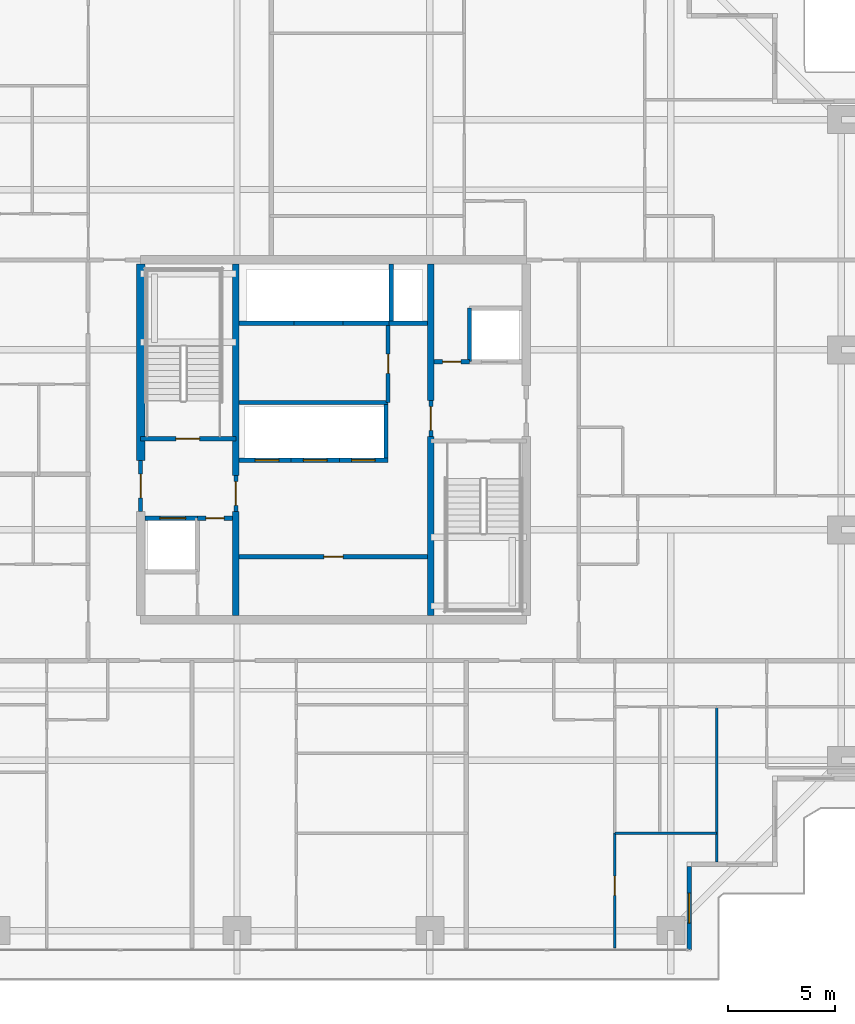
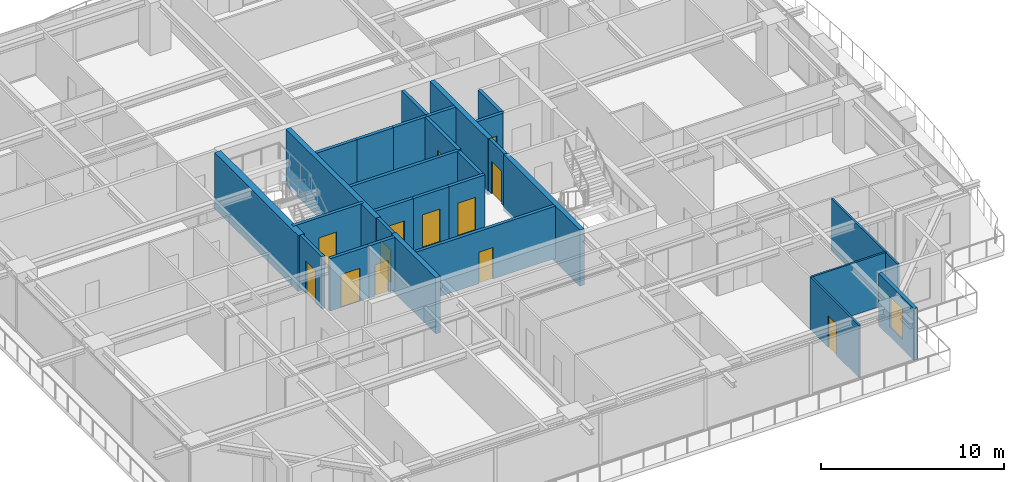
# One storey, part 24 of 33: 29 walls, 13 doors, 1 window, 14 openings.
"""IFC4 building model written with IfcOpenShell, lengths in metres."""

from ifc_helpers import new_model, si_unit, direction, frame, frame_2d, origin, place, context, subcontext, project, spatial, rectangle, extrude, source, transform, mapped, material, layer, layer_set, type_object, element, fill, save


model = new_model("IFC4")

# Units and contexts
model_context = context("Model", 3, precision=1e-05, world=origin(), true_north=direction((0.0, 1.0)))
body_context = subcontext(model_context, "Body", "Model", "MODEL_VIEW")
ifc_project = project(units=[si_unit("LENGTHUNIT", "METRE"), si_unit("AREAUNIT", "SQUARE_METRE"), si_unit("VOLUMEUNIT", "CUBIC_METRE"), si_unit("PLANEANGLEUNIT", "RADIAN"), si_unit("MASSUNIT", "GRAM", prefix="KILO")], contexts=[model_context])

# Site, building, storey
site_placement = place(None, origin())
site = spatial("IfcSite", under=ifc_project, at=site_placement, CompositionType="ELEMENT")
building_placement = place(site_placement, origin())
building = spatial("IfcBuilding", under=site, at=building_placement, Name="Serunith Strait Residences", CompositionType="ELEMENT")
storey_placement = place(building_placement, frame((0.0, 0.0, 165.14990234375)))
storey = spatial("IfcBuildingStorey", under=building, at=storey_placement, Name="L41", CompositionType="ELEMENT", Elevation=165.14990234375)

# Wall, opening, window
ifc_material_1 = material(Name="Pale-Champagne Aluminium Insulated Panel", Category="aluminium")
ifc_layer_1 = layer(ifc_material_1, 0.219970703125, Name="Pale-Champagne Aluminium Insulated Panel")
ifc_layer_set_1 = layer_set([ifc_layer_1], Name="Pale-Champagne Aluminium Insulated Panel")
wall_type_1 = type_object("IfcWallType", Name="EW-ALUM-220", PredefinedType="ELEMENTEDWALL", material=ifc_layer_set_1)
wall_1_placement = place(storey_placement, frame((49.0, 1.39990234375, 0.0), z_axis=(0.0, 0.0, 1.0), x_axis=(0.0, 1.0, 0.0)))
wall_1 = element("IfcWall", 1, at=wall_1_placement, inside=storey, type_object=wall_type_1, Name="L41 Girih Serrated Corner Wall 02", PredefinedType="ELEMENTEDWALL", context=body_context, shape_type="SweptSolid", body=[
    extrude(rectangle(XDim=3.89013671875, YDim=0.219970703125, at=frame_2d((1.945068359375, 0.0))), origin(), (0.0, 0.0, 1.0), 3.47509765625),
])
opening_1_placement = place(wall_1_placement, frame((1.2451171875, 0.0, 0.64990234375)))
opening_1 = element("IfcOpeningElement", 2, at=opening_1_placement, cuts=wall_1, Name="Opening W-03", PredefinedType="OPENING", context=body_context, shape_type="SweptSolid", body=[
    extrude(rectangle(XDim=1.39990234375, YDim=2.050048828125, at=frame_2d((0.699951171875, 1.02490234375))), frame((0.0, 0.1201171875, 0.0), z_axis=(0.0, -1.0, 0.0), x_axis=(1.0, 0.0, 0.0)), (0.0, 0.0, 1.0), 0.239990234375),
])
ifc_material_2 = material(Name="Ceramic-Fritted Operable Aluminium Window Glass", Category="aluminium")
window_type = type_object("IfcWindowType", Name="WIN-C3", PartitioningType="SINGLE_PANEL", PredefinedType="WINDOW", material=ifc_material_2)
shared_shape_1 = source(origin(), body_context, "Body", "SweptSolid", [
    extrude(rectangle(XDim=1.39990234375, YDim=2.050048828125, at=frame_2d((0.699951171875, 1.02490234375))), frame((0.0, 0.030029296875, 0.0), z_axis=(0.0, -1.0, 0.0), x_axis=(1.0, 0.0, 0.0)), (0.0, 0.0, 1.0), 0.06005859375),
])
window_placement = place(opening_1_placement, origin())
window = element("IfcWindow", 3, at=window_placement, inside=storey, type_object=window_type, Name="L41 Corner Operable Fritted Window 02", OverallHeight=2.050048828125, OverallWidth=1.39990234375, PartitioningType="SINGLE_PANEL", PredefinedType="WINDOW", context=body_context, shape_type="MappedRepresentation", body=[
    mapped(shared_shape_1, transform((0.0, 0.0, 0.0), scale=1.0)),
])
fill(opening_1, window)

# Wall, opening, door
ifc_material_3 = material(Name="Lightweight steel-stud gypsum partition", Category="steel")
ifc_layer_2 = layer(ifc_material_3, 0.1201171875, Name="Lightweight steel-stud gypsum partition")
ifc_layer_set_2 = layer_set([ifc_layer_2], Name="Lightweight steel-stud gypsum partition")
wall_type_2 = type_object("IfcWallType", Name="IW-PART-120", PredefinedType="PARTITIONING", material=ifc_layer_set_2)
wall_2_placement = place(storey_placement, frame((45.530029296875, 1.4951171875, 0.0), z_axis=(0.0, 0.0, 1.0), x_axis=(0.0, 1.0, 0.0)))
wall_2 = element("IfcWall", 4, at=wall_2_placement, inside=storey, type_object=wall_type_2, Name="L41 Partition Wall 046", PredefinedType="PARTITIONING", context=body_context, shape_type="SweptSolid", body=[
    extrude(rectangle(XDim=5.351806640625, YDim=0.1201171875, at=frame_2d((2.67578125, 0.0))), origin(), (0.0, 0.0, 1.0), 3.489990234375),
])
opening_2_placement = place(wall_2_placement, frame((2.448974609375, 0.0, 0.0)))
opening_2 = element("IfcOpeningElement", 5, at=opening_2_placement, cuts=wall_2, Name="Opening D-RM900", PredefinedType="OPENING", context=body_context, shape_type="SweptSolid", body=[
    extrude(rectangle(XDim=0.89990234375, YDim=2.10009765625, at=frame_2d((0.449951171875, 1.050048828125))), frame((0.0, 0.070068359375, 0.0), z_axis=(0.0, -1.0, 0.0), x_axis=(1.0, 0.0, 0.0)), (0.0, 0.0, 1.0), 0.14013671875),
])
ifc_material_4 = material(Name="Engineered timber flush bedroom door", Category="wood")
door_type_1 = type_object("IfcDoorType", Name="ID-ROOM-900", OperationType="NOTDEFINED", PredefinedType="DOOR", material=ifc_material_4)
shared_shape_2 = source(origin(), body_context, "Body", "SweptSolid", [
    extrude(rectangle(XDim=0.89990234375, YDim=2.10009765625, at=frame_2d((0.449951171875, 1.050048828125))), frame((0.0, 0.02490234375, 0.0), z_axis=(0.0, -1.0, 0.0), x_axis=(1.0, 0.0, 0.0)), (0.0, 0.0, 1.0), 0.050048828125),
])
door_1_placement = place(opening_2_placement, origin())
door_1 = element("IfcDoor", 6, at=door_1_placement, inside=storey, type_object=door_type_1, Name="L41 Study 1 4103 Door", OperationType="SINGLE_SWING_RIGHT", OverallHeight=2.10009765625, OverallWidth=0.89990234375, PredefinedType="DOOR", context=body_context, shape_type="MappedRepresentation", body=[
    mapped(shared_shape_2, transform((0.0, 0.0, 0.0), scale=1.0)),
])
fill(opening_2, door_1)

# Walls
wall_3_placement = place(storey_placement, frame((45.530029296875, 6.846923828125, 0.0), z_axis=(0.0, 0.0, 1.0), x_axis=(1.0, 0.0, 0.0)))
element("IfcWall", 7, at=wall_3_placement, inside=storey, type_object=wall_type_2, Name="L41 Partition Wall 048", PredefinedType="PARTITIONING", context=body_context, shape_type="SweptSolid", body=[
    extrude(rectangle(XDim=4.75, YDim=0.1201171875, at=frame_2d((2.375, 0.0))), origin(), (0.0, 0.0, 1.0), 3.489990234375),
])
wall_4_placement = place(storey_placement, frame((50.280029296875, 5.4951171875, 0.0), z_axis=(0.0, 0.0, 1.0), x_axis=(0.0, 1.0, 0.0)))
element("IfcWall", 8, at=wall_4_placement, inside=storey, type_object=wall_type_2, Name="L41 Partition Wall 049", PredefinedType="PARTITIONING", context=body_context, shape_type="SweptSolid", body=[
    extrude(rectangle(XDim=7.2548828125, YDim=0.1201171875, at=frame_2d((3.62744140625, 0.0))), origin(), (0.0, 0.0, 1.0), 3.489990234375),
])

# Wall, opening, door
ifc_material_5 = material(Name="Autoclaved aerated concrete blockwork", Category="masonry")
ifc_layer_3 = layer(ifc_material_5, 0.199951171875, Name="Autoclaved aerated concrete blockwork")
ifc_layer_set_3 = layer_set([ifc_layer_3], Name="Autoclaved aerated concrete blockwork")
wall_type_3 = type_object("IfcWallType", Name="IW-SHAFT-200", PredefinedType="STANDARD", material=ifc_layer_set_3)
wall_5_placement = place(storey_placement, frame((23.39990234375, 25.25, 0.0), z_axis=(0.0, 0.0, 1.0), x_axis=(1.0, 0.0, 0.0)))
wall_5 = element("IfcWall", 9, at=wall_5_placement, inside=storey, type_object=wall_type_3, Name="L41 ST-1 South Shaft Wall", PredefinedType="STANDARD", context=body_context, shape_type="SweptSolid", body=[
    extrude(rectangle(XDim=4.4501953125, YDim=0.199951171875, at=frame_2d((2.22509765625, 0.0))), origin(), (0.0, 0.0, 1.0), 3.489990234375),
])
opening_3_placement = place(wall_5_placement, frame((1.64990234375, 0.0, 0.0)))
opening_3 = element("IfcOpeningElement", 10, at=opening_3_placement, cuts=wall_5, Name="Opening FD-1100", PredefinedType="OPENING", context=body_context, shape_type="SweptSolid", body=[
    extrude(rectangle(XDim=1.10009765625, YDim=2.14990234375, at=frame_2d((0.550048828125, 1.074951171875))), frame((0.0, 0.10986328125, 0.0), z_axis=(0.0, -1.0, 0.0), x_axis=(1.0, 0.0, 0.0)), (0.0, 0.0, 1.0), 0.219970703125),
])
ifc_material_6 = material(Name="Galvanised steel fire door leaf", Category="steel")
door_type_2 = type_object("IfcDoorType", Name="FD-STAIR-1100", OperationType="NOTDEFINED", PredefinedType="DOOR", material=ifc_material_6)
shared_shape_3 = source(origin(), body_context, "Body", "SweptSolid", [
    extrude(rectangle(XDim=1.10009765625, YDim=2.14990234375, at=frame_2d((0.550048828125, 1.074951171875))), frame((0.0, 0.02490234375, 0.0), z_axis=(0.0, -1.0, 0.0), x_axis=(1.0, 0.0, 0.0)), (0.0, 0.0, 1.0), 0.050048828125),
])
door_2_placement = place(opening_3_placement, origin())
door_2 = element("IfcDoor", 11, at=door_2_placement, inside=storey, type_object=door_type_2, Name="L41 ST-1 Escape Stair Door", OperationType="SINGLE_SWING_LEFT", OverallHeight=2.14990234375, OverallWidth=1.10009765625, PredefinedType="DOOR", context=body_context, shape_type="MappedRepresentation", body=[
    mapped(shared_shape_3, transform((0.0, 0.0, 0.0), scale=1.0)),
])
fill(opening_3, door_2)

wall_6_placement = place(storey_placement, frame((23.60009765625, 21.550048828125, 0.0), z_axis=(0.0, 0.0, 1.0), x_axis=(1.0, 0.0, 0.0)))
wall_6 = element("IfcWall", 12, at=wall_6_placement, inside=storey, type_object=wall_type_3, Name="L41 FL-1 North Shaft Wall", PredefinedType="STANDARD", context=body_context, shape_type="SweptSolid", body=[
    extrude(rectangle(XDim=2.449951171875, YDim=0.199951171875, at=frame_2d((1.22509765625, 0.0))), origin(), (0.0, 0.0, 1.0), 3.489990234375),
])
opening_4_placement = place(wall_6_placement, frame((0.699951171875, 0.0, 0.0)))
opening_4 = element("IfcOpeningElement", 13, at=opening_4_placement, cuts=wall_6, Name="Opening LD-FF1200", PredefinedType="OPENING", context=body_context, shape_type="SweptSolid", body=[
    extrude(rectangle(XDim=1.199951171875, YDim=2.199951171875, at=frame_2d((0.60009765625, 1.10009765625))), frame((0.0, 0.10986328125, 0.0), z_axis=(0.0, -1.0, 0.0), x_axis=(1.0, 0.0, 0.0)), (0.0, 0.0, 1.0), 0.219970703125),
])
ifc_material_7 = material(Name="Brushed stainless steel landing door", Category="steel")
door_type_3 = type_object("IfcDoorType", Name="LD-FF-1200", OperationType="DOUBLE_DOOR_SLIDING", PredefinedType="DOOR", material=ifc_material_7)
shared_shape_4 = source(origin(), body_context, "Body", "SweptSolid", [
    extrude(rectangle(XDim=1.199951171875, YDim=2.199951171875, at=frame_2d((0.60009765625, 1.10009765625))), frame((0.0, 0.02490234375, 0.0), z_axis=(0.0, -1.0, 0.0), x_axis=(1.0, 0.0, 0.0)), (0.0, 0.0, 1.0), 0.050048828125),
])
door_3_placement = place(opening_4_placement, origin())
door_3 = element("IfcDoor", 14, at=door_3_placement, inside=storey, type_object=door_type_3, Name="L41 FL-1 Landing Door", OperationType="DOUBLE_DOOR_SLIDING", OverallHeight=2.199951171875, OverallWidth=1.199951171875, PredefinedType="DOOR", context=body_context, shape_type="MappedRepresentation", body=[
    mapped(shared_shape_4, transform((0.0, 0.0, 0.0), scale=1.0)),
])
fill(opening_4, door_3)

wall_7_placement = place(storey_placement, frame((28.0, 24.25, 0.0), z_axis=(0.0, 0.0, 1.0), x_axis=(1.0, 0.0, 0.0)))
wall_7 = element("IfcWall", 15, at=wall_7_placement, inside=storey, type_object=wall_type_3, Name="L41 PL-4 South Shaft Wall", PredefinedType="STANDARD", context=body_context, shape_type="SweptSolid", body=[
    extrude(rectangle(XDim=2.425048828125, YDim=0.199951171875, at=frame_2d((1.21240234375, 0.0))), origin(), (0.0, 0.0, 1.0), 3.489990234375),
])
opening_5_placement = place(wall_7_placement, frame((0.75, 0.0, 0.0)))
opening_5 = element("IfcOpeningElement", 16, at=opening_5_placement, cuts=wall_7, Name="Opening LD-1100", PredefinedType="OPENING", context=body_context, shape_type="SweptSolid", body=[
    extrude(rectangle(XDim=1.10009765625, YDim=2.199951171875, at=frame_2d((0.550048828125, 1.10009765625))), frame((0.0, 0.10986328125, 0.0), z_axis=(0.0, -1.0, 0.0), x_axis=(1.0, 0.0, 0.0)), (0.0, 0.0, 1.0), 0.219970703125),
])
ifc_material_8 = material(Name="Pale-champagne stainless landing door")
door_type_4 = type_object("IfcDoorType", Name="LD-LIFT-1100", OperationType="DOUBLE_DOOR_SLIDING", PredefinedType="DOOR", material=ifc_material_8)
shared_shape_5 = source(origin(), body_context, "Body", "SweptSolid", [
    extrude(rectangle(XDim=1.10009765625, YDim=2.199951171875, at=frame_2d((0.550048828125, 1.10009765625))), frame((0.0, 0.02490234375, 0.0), z_axis=(0.0, -1.0, 0.0), x_axis=(1.0, 0.0, 0.0)), (0.0, 0.0, 1.0), 0.050048828125),
])
door_4_placement = place(opening_5_placement, origin())
door_4 = element("IfcDoor", 17, at=door_4_placement, inside=storey, type_object=door_type_4, Name="L41 PL-4 Landing Door", OperationType="DOUBLE_DOOR_SLIDING", OverallHeight=2.199951171875, OverallWidth=1.10009765625, PredefinedType="DOOR", context=body_context, shape_type="MappedRepresentation", body=[
    mapped(shared_shape_5, transform((0.0, 0.0, 0.0), scale=1.0)),
])
fill(opening_5, door_4)

wall_8_placement = place(storey_placement, frame((30.425048828125, 24.25, 0.0), z_axis=(0.0, 0.0, 1.0), x_axis=(1.0, 0.0, 0.0)))
wall_8 = element("IfcWall", 18, at=wall_8_placement, inside=storey, type_object=wall_type_3, Name="L41 PL-5 South Shaft Wall", PredefinedType="STANDARD", context=body_context, shape_type="SweptSolid", body=[
    extrude(rectangle(XDim=2.25, YDim=0.199951171875, at=frame_2d((1.125, 0.0))), origin(), (0.0, 0.0, 1.0), 3.489990234375),
])
opening_6_placement = place(wall_8_placement, frame((0.574951171875, 0.0, 0.0)))
opening_6 = element("IfcOpeningElement", 19, at=opening_6_placement, cuts=wall_8, Name="Opening LD-1100", PredefinedType="OPENING", context=body_context, shape_type="SweptSolid", body=[
    extrude(rectangle(XDim=1.10009765625, YDim=2.199951171875, at=frame_2d((0.550048828125, 1.10009765625))), frame((0.0, 0.10986328125, 0.0), z_axis=(0.0, -1.0, 0.0), x_axis=(1.0, 0.0, 0.0)), (0.0, 0.0, 1.0), 0.219970703125),
])
door_5_placement = place(opening_6_placement, origin())
door_5 = element("IfcDoor", 20, at=door_5_placement, inside=storey, type_object=door_type_4, Name="L41 PL-5 Landing Door", OperationType="DOUBLE_DOOR_SLIDING", OverallHeight=2.199951171875, OverallWidth=1.10009765625, PredefinedType="DOOR", context=body_context, shape_type="MappedRepresentation", body=[
    mapped(shared_shape_5, transform((0.0, 0.0, 0.0), scale=1.0)),
])
fill(opening_6, door_5)

wall_9_placement = place(storey_placement, frame((32.675048828125, 24.25, 0.0), z_axis=(0.0, 0.0, 1.0), x_axis=(1.0, 0.0, 0.0)))
wall_9 = element("IfcWall", 21, at=wall_9_placement, inside=storey, type_object=wall_type_3, Name="L41 PL-6 South Shaft Wall", PredefinedType="STANDARD", context=body_context, shape_type="SweptSolid", body=[
    extrude(rectangle(XDim=2.27490234375, YDim=0.199951171875, at=frame_2d((1.137451171875, 0.0))), origin(), (0.0, 0.0, 1.0), 3.489990234375),
])
opening_7_placement = place(wall_9_placement, frame((0.574951171875, 0.0, 0.0)))
opening_7 = element("IfcOpeningElement", 22, at=opening_7_placement, cuts=wall_9, Name="Opening LD-1100", PredefinedType="OPENING", context=body_context, shape_type="SweptSolid", body=[
    extrude(rectangle(XDim=1.10009765625, YDim=2.199951171875, at=frame_2d((0.550048828125, 1.10009765625))), frame((0.0, 0.10986328125, 0.0), z_axis=(0.0, -1.0, 0.0), x_axis=(1.0, 0.0, 0.0)), (0.0, 0.0, 1.0), 0.219970703125),
])
door_6_placement = place(opening_7_placement, origin())
door_6 = element("IfcDoor", 23, at=door_6_placement, inside=storey, type_object=door_type_4, Name="L41 PL-6 Landing Door", OperationType="DOUBLE_DOOR_SLIDING", OverallHeight=2.199951171875, OverallWidth=1.10009765625, PredefinedType="DOOR", context=body_context, shape_type="MappedRepresentation", body=[
    mapped(shared_shape_5, transform((0.0, 0.0, 0.0), scale=1.0)),
])
fill(opening_7, door_6)

# Walls
wall_10_placement = place(storey_placement, frame((34.85009765625, 24.35009765625, 0.0), z_axis=(0.0, 0.0, 1.0), x_axis=(0.0, 1.0, 0.0)))
element("IfcWall", 24, at=wall_10_placement, inside=storey, type_object=wall_type_3, Name="L41 PL-6 East Shaft Wall", PredefinedType="STANDARD", context=body_context, shape_type="SweptSolid", body=[
    extrude(rectangle(XDim=2.5, YDim=0.199951171875, at=frame_2d((1.25, 0.0))), origin(), (0.0, 0.0, 1.0), 3.489990234375),
])
wall_11_placement = place(storey_placement, frame((28.0, 30.64990234375, 0.0), z_axis=(0.0, 0.0, 1.0), x_axis=(1.0, 0.0, 0.0)))
element("IfcWall", 25, at=wall_11_placement, inside=storey, type_object=wall_type_3, Name="L41 PL-7 South Shaft Wall", PredefinedType="STANDARD", context=body_context, shape_type="SweptSolid", body=[
    extrude(rectangle(XDim=2.550048828125, YDim=0.199951171875, at=frame_2d((1.27490234375, 0.0))), origin(), (0.0, 0.0, 1.0), 3.489990234375),
])
wall_12_placement = place(storey_placement, frame((30.550048828125, 30.64990234375, 0.0), z_axis=(0.0, 0.0, 1.0), x_axis=(1.0, 0.0, 0.0)))
element("IfcWall", 26, at=wall_12_placement, inside=storey, type_object=wall_type_3, Name="L41 PL-8 South Shaft Wall", PredefinedType="STANDARD", context=body_context, shape_type="SweptSolid", body=[
    extrude(rectangle(XDim=2.300048828125, YDim=0.199951171875, at=frame_2d((1.14990234375, 0.0))), origin(), (0.0, 0.0, 1.0), 3.489990234375),
])
wall_13_placement = place(storey_placement, frame((32.85009765625, 30.64990234375, 0.0), z_axis=(0.0, 0.0, 1.0), x_axis=(1.0, 0.0, 0.0)))
element("IfcWall", 27, at=wall_13_placement, inside=storey, type_object=wall_type_3, Name="L41 PL-9 South Shaft Wall", PredefinedType="STANDARD", context=body_context, shape_type="SweptSolid", body=[
    extrude(rectangle(XDim=2.14990234375, YDim=0.199951171875, at=frame_2d((1.074951171875, 0.0))), origin(), (0.0, 0.0, 1.0), 3.489990234375),
])
wall_14_placement = place(storey_placement, frame((35.0, 30.64990234375, 0.0), z_axis=(0.0, 0.0, 1.0), x_axis=(1.0, 0.0, 0.0)))
element("IfcWall", 28, at=wall_14_placement, inside=storey, type_object=wall_type_3, Name="L41 SL-1 South Shaft Wall", PredefinedType="STANDARD", context=body_context, shape_type="SweptSolid", body=[
    extrude(rectangle(XDim=1.800048828125, YDim=0.199951171875, at=frame_2d((0.89990234375, 0.0))), origin(), (0.0, 0.0, 1.0), 3.489990234375),
])
wall_15_placement = place(storey_placement, frame((35.10009765625, 30.75, 0.0), z_axis=(0.0, 0.0, 1.0), x_axis=(0.0, 1.0, 0.0)))
element("IfcWall", 29, at=wall_15_placement, inside=storey, type_object=wall_type_3, Name="L41 SL-1 West Shaft Wall", PredefinedType="STANDARD", context=body_context, shape_type="SweptSolid", body=[
    extrude(rectangle(XDim=2.64990234375, YDim=0.199951171875, at=frame_2d((1.324951171875, 0.0))), origin(), (0.0, 0.0, 1.0), 3.489990234375),
])

# Wall, opening, door
wall_16_placement = place(storey_placement, frame((26.052001953125, 21.550048828125, 0.0), z_axis=(0.0, 0.0, 1.0), x_axis=(1.0, 0.0, 0.0)))
wall_16 = element("IfcWall", 30, at=wall_16_placement, inside=storey, type_object=wall_type_3, Name="L41 Partition Wall 003", PredefinedType="STANDARD", context=body_context, shape_type="SweptSolid", body=[
    extrude(rectangle(XDim=1.64794921875, YDim=0.199951171875, at=frame_2d((0.823974609375, 0.0))), origin(), (0.0, 0.0, 1.0), 3.489990234375),
])
opening_8_placement = place(wall_16_placement, frame((0.39892578125, 0.0, 0.0)))
opening_8 = element("IfcOpeningElement", 31, at=opening_8_placement, cuts=wall_16, Name="Opening FD-850", PredefinedType="OPENING", context=body_context, shape_type="SweptSolid", body=[
    extrude(rectangle(XDim=0.85009765625, YDim=2.10009765625, at=frame_2d((0.425048828125, 1.050048828125))), frame((0.0, 0.10986328125, 0.0), z_axis=(0.0, -1.0, 0.0), x_axis=(1.0, 0.0, 0.0)), (0.0, 0.0, 1.0), 0.219970703125),
])
ifc_material_9 = material(Name="Powder-coated steel service closet door", Category="steel")
door_type_5 = type_object("IfcDoorType", Name="FD-BOH-850", OperationType="NOTDEFINED", PredefinedType="DOOR", material=ifc_material_9)
shared_shape_6 = source(origin(), body_context, "Body", "SweptSolid", [
    extrude(rectangle(XDim=0.85009765625, YDim=2.10009765625, at=frame_2d((0.425048828125, 1.050048828125))), frame((0.0, 0.02490234375, 0.0), z_axis=(0.0, -1.0, 0.0), x_axis=(1.0, 0.0, 0.0)), (0.0, 0.0, 1.0), 0.050048828125),
])
door_7_placement = place(opening_8_placement, origin())
door_7 = element("IfcDoor", 32, at=door_7_placement, inside=storey, type_object=door_type_5, Name="L41 South-West Core Service Door", OperationType="SINGLE_SWING_LEFT", OverallHeight=2.10009765625, OverallWidth=0.85009765625, PredefinedType="DOOR", context=body_context, shape_type="MappedRepresentation", body=[
    mapped(shared_shape_6, transform((0.0, 0.0, 0.0), scale=1.0)),
])
fill(opening_8, door_7)

# Wall
wall_17_placement = place(storey_placement, frame((38.75, 28.85009765625, 0.0), z_axis=(0.0, 0.0, 1.0), x_axis=(0.0, 1.0, 0.0)))
element("IfcWall", 33, at=wall_17_placement, inside=storey, type_object=wall_type_3, Name="L41 Partition Wall 004", PredefinedType="STANDARD", context=body_context, shape_type="SweptSolid", body=[
    extrude(rectangle(XDim=2.5, YDim=0.199951171875, at=frame_2d((1.25, 0.0))), origin(), (0.0, 0.0, 1.0), 3.489990234375),
])

# Wall, opening, door
wall_18_placement = place(storey_placement, frame((37.10009765625, 28.85009765625, 0.0), z_axis=(0.0, 0.0, 1.0), x_axis=(1.0, 0.0, 0.0)))
wall_18 = element("IfcWall", 34, at=wall_18_placement, inside=storey, type_object=wall_type_3, Name="L41 Partition Wall 006", PredefinedType="STANDARD", context=body_context, shape_type="SweptSolid", body=[
    extrude(rectangle(XDim=1.64794921875, YDim=0.199951171875, at=frame_2d((0.823974609375, 0.0))), origin(), (0.0, 0.0, 1.0), 3.489990234375),
])
opening_9_placement = place(wall_18_placement, frame((0.39892578125, 0.0, 0.0)))
opening_9 = element("IfcOpeningElement", 35, at=opening_9_placement, cuts=wall_18, Name="Opening FD-850", PredefinedType="OPENING", context=body_context, shape_type="SweptSolid", body=[
    extrude(rectangle(XDim=0.85009765625, YDim=2.10009765625, at=frame_2d((0.425048828125, 1.050048828125))), frame((0.0, 0.10986328125, 0.0), z_axis=(0.0, -1.0, 0.0), x_axis=(1.0, 0.0, 0.0)), (0.0, 0.0, 1.0), 0.219970703125),
])
door_8_placement = place(opening_9_placement, origin())
door_8 = element("IfcDoor", 36, at=door_8_placement, inside=storey, type_object=door_type_5, Name="L41 North-East Core Service Door", OperationType="SINGLE_SWING_RIGHT", OverallHeight=2.10009765625, OverallWidth=0.85009765625, PredefinedType="DOOR", context=body_context, shape_type="MappedRepresentation", body=[
    mapped(shared_shape_6, transform((0.0, 0.0, 0.0), scale=1.0)),
])
fill(opening_9, door_8)

wall_19_placement = place(storey_placement, frame((23.39990234375, 21.85205078125, 0.0), z_axis=(0.0, 0.0, 1.0), x_axis=(0.0, 1.0, 0.0)))
wall_19 = element("IfcWall", 37, at=wall_19_placement, inside=storey, type_object=wall_type_3, Name="L41 Partition Wall 007", PredefinedType="STANDARD", context=body_context, shape_type="SweptSolid", body=[
    extrude(rectangle(XDim=2.39599609375, YDim=0.199951171875, at=frame_2d((1.197998046875, 0.0))), origin(), (0.0, 0.0, 1.0), 3.489990234375),
])
opening_10_placement = place(wall_19_placement, frame((0.64794921875, 0.0, 0.0)))
opening_10 = element("IfcOpeningElement", 38, at=opening_10_placement, cuts=wall_19, Name="Opening FD-FFL", PredefinedType="OPENING", context=body_context, shape_type="SweptSolid", body=[
    extrude(rectangle(XDim=1.10009765625, YDim=2.14990234375, at=frame_2d((0.550048828125, 1.074951171875))), frame((0.0, 0.10986328125, 0.0), z_axis=(0.0, -1.0, 0.0), x_axis=(1.0, 0.0, 0.0)), (0.0, 0.0, 1.0), 0.219970703125),
])
ifc_material_10 = material(Name="Glazed steel smoke-lobby fire door", Category="steel")
door_type_6 = type_object("IfcDoorType", Name="FD-FFL-1100", OperationType="NOTDEFINED", PredefinedType="DOOR", material=ifc_material_10)
door_9_placement = place(opening_10_placement, origin())
door_9 = element("IfcDoor", 39, at=door_9_placement, inside=storey, type_object=door_type_6, Name="L41 FFL-1 Corridor Fire Door", OperationType="SINGLE_SWING_LEFT", OverallHeight=2.14990234375, OverallWidth=1.10009765625, PredefinedType="DOOR", context=body_context, shape_type="MappedRepresentation", body=[
    mapped(shared_shape_3, transform((0.0, 0.0, 0.0), scale=1.0)),
])
fill(opening_10, door_9)

wall_20_placement = place(storey_placement, frame((27.85009765625, 21.85205078125, 0.0), z_axis=(0.0, 0.0, 1.0), x_axis=(0.0, 1.0, 0.0)))
wall_20 = element("IfcWall", 40, at=wall_20_placement, inside=storey, type_object=wall_type_3, Name="L41 Partition Wall 009", PredefinedType="STANDARD", context=body_context, shape_type="SweptSolid", body=[
    extrude(rectangle(XDim=1.696044921875, YDim=0.199951171875, at=frame_2d((0.84814453125, 0.0))), origin(), (0.0, 0.0, 1.0), 3.489990234375),
])
opening_11_placement = place(wall_20_placement, frame((0.298095703125, 0.0, 0.0)))
opening_11 = element("IfcOpeningElement", 41, at=opening_11_placement, cuts=wall_20, Name="Opening FD-FFL", PredefinedType="OPENING", context=body_context, shape_type="SweptSolid", body=[
    extrude(rectangle(XDim=1.10009765625, YDim=2.14990234375, at=frame_2d((0.550048828125, 1.074951171875))), frame((0.0, 0.10986328125, 0.0), z_axis=(0.0, -1.0, 0.0), x_axis=(1.0, 0.0, 0.0)), (0.0, 0.0, 1.0), 0.219970703125),
])
door_10_placement = place(opening_11_placement, origin())
door_10 = element("IfcDoor", 42, at=door_10_placement, inside=storey, type_object=door_type_6, Name="L41 FFL-1 Lift Lobby Door", OperationType="SINGLE_SWING_LEFT", OverallHeight=2.14990234375, OverallWidth=1.10009765625, PredefinedType="DOOR", context=body_context, shape_type="MappedRepresentation", body=[
    mapped(shared_shape_3, transform((0.0, 0.0, 0.0), scale=1.0)),
])
fill(opening_11, door_10)

wall_21_placement = place(storey_placement, frame((36.949951171875, 25.35205078125, 0.0), z_axis=(0.0, 0.0, 1.0), x_axis=(0.0, 1.0, 0.0)))
wall_21 = element("IfcWall", 43, at=wall_21_placement, inside=storey, type_object=wall_type_3, Name="L41 Partition Wall 010", PredefinedType="STANDARD", context=body_context, shape_type="SweptSolid", body=[
    extrude(rectangle(XDim=1.696044921875, YDim=0.199951171875, at=frame_2d((0.84814453125, 0.0))), origin(), (0.0, 0.0, 1.0), 3.489990234375),
])
opening_12_placement = place(wall_21_placement, frame((0.298095703125, 0.0, 0.0)))
opening_12 = element("IfcOpeningElement", 44, at=opening_12_placement, cuts=wall_21, Name="Opening FD-FFL", PredefinedType="OPENING", context=body_context, shape_type="SweptSolid", body=[
    extrude(rectangle(XDim=1.10009765625, YDim=2.14990234375, at=frame_2d((0.550048828125, 1.074951171875))), frame((0.0, 0.10986328125, 0.0), z_axis=(0.0, -1.0, 0.0), x_axis=(1.0, 0.0, 0.0)), (0.0, 0.0, 1.0), 0.219970703125),
])
door_11_placement = place(opening_12_placement, origin())
door_11 = element("IfcDoor", 45, at=door_11_placement, inside=storey, type_object=door_type_6, Name="L41 FFL-2 Lift Lobby Door", OperationType="SINGLE_SWING_RIGHT", OverallHeight=2.14990234375, OverallWidth=1.10009765625, PredefinedType="DOOR", context=body_context, shape_type="MappedRepresentation", body=[
    mapped(shared_shape_3, transform((0.0, 0.0, 0.0), scale=1.0)),
])
fill(opening_12, door_11)

# Wall
wall_22_placement = place(storey_placement, frame((28.0, 26.949951171875, 0.0), z_axis=(0.0, 0.0, 1.0), x_axis=(1.0, 0.0, 0.0)))
element("IfcWall", 46, at=wall_22_placement, inside=storey, type_object=wall_type_3, Name="L41 Partition Wall 011", PredefinedType="STANDARD", context=body_context, shape_type="SweptSolid", body=[
    extrude(rectangle(XDim=6.949951171875, YDim=0.199951171875, at=frame_2d((3.47509765625, 0.0))), origin(), (0.0, 0.0, 1.0), 3.489990234375),
])

# Wall, opening, door
wall_23_placement = place(storey_placement, frame((34.949951171875, 26.949951171875, 0.0), z_axis=(0.0, 0.0, 1.0), x_axis=(0.0, 1.0, 0.0)))
wall_23 = element("IfcWall", 47, at=wall_23_placement, inside=storey, type_object=wall_type_3, Name="L41 Partition Wall 013", PredefinedType="STANDARD", context=body_context, shape_type="SweptSolid", body=[
    extrude(rectangle(XDim=3.60009765625, YDim=0.199951171875, at=frame_2d((1.800048828125, 0.0))), origin(), (0.0, 0.0, 1.0), 3.489990234375),
])
opening_13_placement = place(wall_23_placement, frame((1.35009765625, 0.0, 0.0)))
opening_13 = element("IfcOpeningElement", 48, at=opening_13_placement, cuts=wall_23, Name="Opening FD-900", PredefinedType="OPENING", context=body_context, shape_type="SweptSolid", body=[
    extrude(rectangle(XDim=0.89990234375, YDim=2.10009765625, at=frame_2d((0.449951171875, 1.050048828125))), frame((0.0, 0.10986328125, 0.0), z_axis=(0.0, -1.0, 0.0), x_axis=(1.0, 0.0, 0.0)), (0.0, 0.0, 1.0), 0.219970703125),
])
ifc_material_11 = material(Name="Powder-coated steel riser door", Category="steel")
door_type_7 = type_object("IfcDoorType", Name="FD-BOH-900", OperationType="NOTDEFINED", PredefinedType="DOOR", material=ifc_material_11)
door_12_placement = place(opening_13_placement, origin())
door_12 = element("IfcDoor", 49, at=door_12_placement, inside=storey, type_object=door_type_7, Name="L41 Core Switchroom Door", OperationType="SINGLE_SWING_RIGHT", OverallHeight=2.10009765625, OverallWidth=0.89990234375, PredefinedType="DOOR", context=body_context, shape_type="MappedRepresentation", body=[
    mapped(shared_shape_2, transform((0.0, 0.0, 0.0), scale=1.0)),
])
fill(opening_13, door_12)

wall_24_placement = place(storey_placement, frame((28.0, 19.75, 0.0), z_axis=(0.0, 0.0, 1.0), x_axis=(1.0, 0.0, 0.0)))
wall_24 = element("IfcWall", 50, at=wall_24_placement, inside=storey, type_object=wall_type_3, Name="L41 Partition Wall 014", PredefinedType="STANDARD", context=body_context, shape_type="SweptSolid", body=[
    extrude(rectangle(XDim=8.800048828125, YDim=0.199951171875, at=frame_2d((4.39990234375, 0.0))), origin(), (0.0, 0.0, 1.0), 3.489990234375),
])
opening_14_placement = place(wall_24_placement, frame((3.949951171875, 0.0, 0.0)))
opening_14 = element("IfcOpeningElement", 51, at=opening_14_placement, cuts=wall_24, Name="Opening FD-900", PredefinedType="OPENING", context=body_context, shape_type="SweptSolid", body=[
    extrude(rectangle(XDim=0.89990234375, YDim=2.10009765625, at=frame_2d((0.449951171875, 1.050048828125))), frame((0.0, 0.10986328125, 0.0), z_axis=(0.0, -1.0, 0.0), x_axis=(1.0, 0.0, 0.0)), (0.0, 0.0, 1.0), 0.219970703125),
])
door_13_placement = place(opening_14_placement, origin())
door_13 = element("IfcDoor", 52, at=door_13_placement, inside=storey, type_object=door_type_7, Name="L41 Reclaimed BMS Plant Door", OperationType="SINGLE_SWING_LEFT", OverallHeight=2.10009765625, OverallWidth=0.89990234375, PredefinedType="DOOR", context=body_context, shape_type="MappedRepresentation", body=[
    mapped(shared_shape_2, transform((0.0, 0.0, 0.0), scale=1.0)),
])
fill(opening_14, door_13)

# Walls
ifc_material_12 = material(Name="Concrete C70/85", Category="concrete")
ifc_layer_4 = layer(ifc_material_12, 0.300048828125, Name="Concrete C70/85")
ifc_layer_set_4 = layer_set([ifc_layer_4], Name="Concrete C70/85")
wall_type_4 = type_object("IfcWallType", Name="SW-300-C70", PredefinedType="SHEAR", material=ifc_layer_set_4)
wall_25_placement = place(storey_placement, frame((27.85009765625, 17.0, -0.260009765625), z_axis=(0.0, 0.0, 1.0), x_axis=(0.0, 1.0, 0.0)))
element("IfcWall", 53, at=wall_25_placement, inside=storey, type_object=wall_type_4, Name="L41 Core Internal West Web South Pier", PredefinedType="SHEAR", context=body_context, shape_type="SweptSolid", body=[
    extrude(rectangle(XDim=4.85009765625, YDim=0.300048828125, at=frame_2d((2.425048828125, 0.0))), origin(), (0.0, 0.0, 1.0), 3.748046875),
])
wall_26_placement = place(storey_placement, frame((27.85009765625, 23.550048828125, -0.260009765625), z_axis=(0.0, 0.0, 1.0), x_axis=(0.0, 1.0, 0.0)))
element("IfcWall", 54, at=wall_26_placement, inside=storey, type_object=wall_type_4, Name="L41 Core Internal West Web North Pier", PredefinedType="SHEAR", context=body_context, shape_type="SweptSolid", body=[
    extrude(rectangle(XDim=9.849853515625, YDim=0.300048828125, at=frame_2d((4.9248046875, 0.0))), origin(), (0.0, 0.0, 1.0), 3.748046875),
])
wall_27_placement = place(storey_placement, frame((36.949951171875, 17.0, -0.260009765625), z_axis=(0.0, 0.0, 1.0), x_axis=(0.0, 1.0, 0.0)))
element("IfcWall", 55, at=wall_27_placement, inside=storey, type_object=wall_type_4, Name="L41 Core Internal East Web South Pier", PredefinedType="SHEAR", context=body_context, shape_type="SweptSolid", body=[
    extrude(rectangle(XDim=8.35009765625, YDim=0.300048828125, at=frame_2d((4.175048828125, 0.0))), origin(), (0.0, 0.0, 1.0), 3.748046875),
])
wall_28_placement = place(storey_placement, frame((36.949951171875, 27.050048828125, -0.260009765625), z_axis=(0.0, 0.0, 1.0), x_axis=(0.0, 1.0, 0.0)))
element("IfcWall", 56, at=wall_28_placement, inside=storey, type_object=wall_type_4, Name="L41 Core Internal East Web North Pier", PredefinedType="SHEAR", context=body_context, shape_type="SweptSolid", body=[
    extrude(rectangle(XDim=6.349853515625, YDim=0.300048828125, at=frame_2d((3.1748046875, 0.0))), origin(), (0.0, 0.0, 1.0), 3.748046875),
])
ifc_layer_5 = layer(ifc_material_12, 0.39990234375, Name="Concrete C70/85")
ifc_layer_set_5 = layer_set([ifc_layer_5], Name="Concrete C70/85")
wall_type_5 = type_object("IfcWallType", Name="SW-400-C70", PredefinedType="SHEAR", material=ifc_layer_set_5)
wall_29_placement = place(storey_placement, frame((23.39990234375, 24.25, -0.260009765625), z_axis=(0.0, 0.0, 1.0), x_axis=(0.0, 1.0, 0.0)))
element("IfcWall", 57, at=wall_29_placement, inside=storey, type_object=wall_type_5, Name="L41 Core West Shear Wall North Pier", PredefinedType="SHEAR", context=body_context, shape_type="SweptSolid", body=[
    extrude(rectangle(XDim=9.14990234375, YDim=0.39990234375, at=frame_2d((4.574951171875, 0.0))), origin(), (0.0, 0.0, 1.0), 3.748046875),
])

save(model, "model.ifc")
